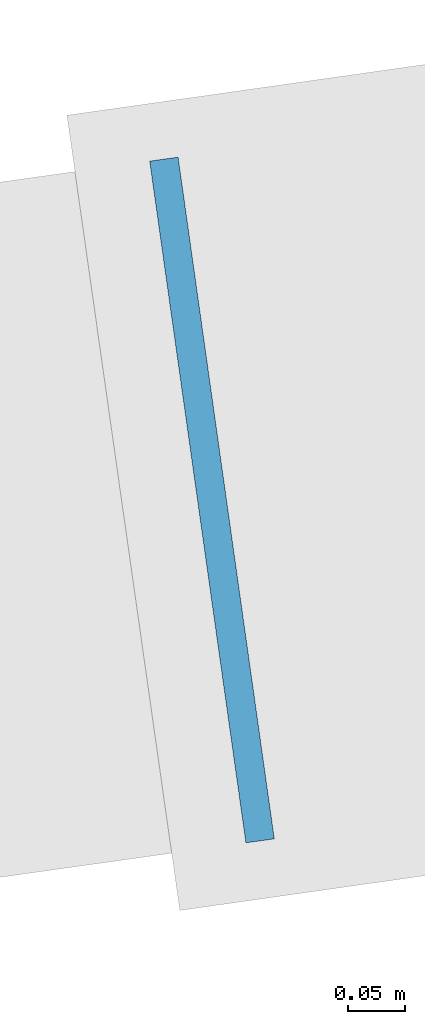
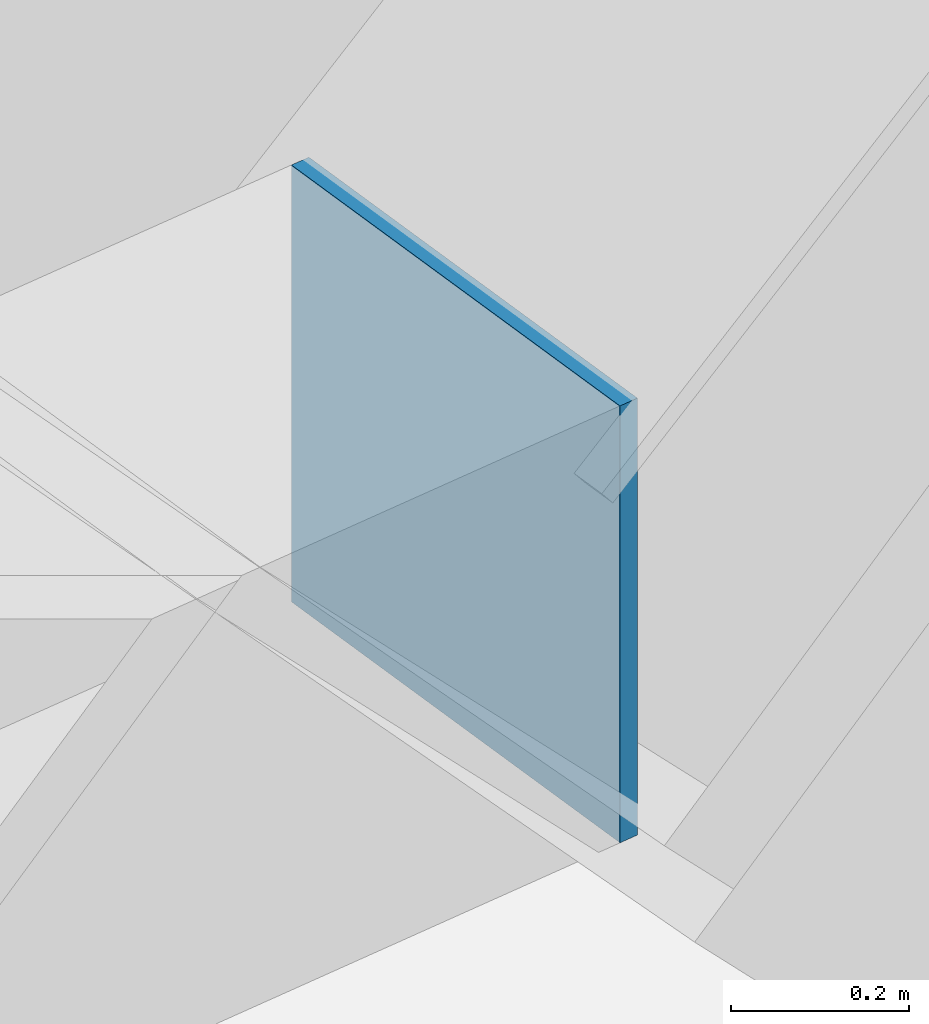
# One storey, part 39 of 41: 1 discrete accessory.
"""IFC4 building model written with IfcOpenShell, lengths in metres."""

from ifc_helpers import new_model, si_unit, direction, frame, origin, origin_2d, place, context, subcontext, project, spatial, rectangle, extrude, material, material_profile, profile_set, type_object, element, save


model = new_model("IFC4")

# Units and contexts
model_context = context("Model", 3, precision=1e-05, world=origin(), true_north=direction((0.0, 1.0)))
body_context = subcontext(model_context, "Body", "Model", "MODEL_VIEW")
ifc_project = project(units=[si_unit("LENGTHUNIT", "METRE"), si_unit("AREAUNIT", "SQUARE_METRE"), si_unit("VOLUMEUNIT", "CUBIC_METRE"), si_unit("PLANEANGLEUNIT", "RADIAN"), si_unit("MASSUNIT", "GRAM", prefix="KILO")], contexts=[model_context])

# Site, building, storey
site_placement = place(None, origin())
site = spatial("IfcSite", under=ifc_project, at=site_placement, CompositionType="ELEMENT")
building_placement = place(site_placement, origin())
building = spatial("IfcBuilding", under=site, at=building_placement, Name="Mirante Cascada Hotel Towers", CompositionType="ELEMENT")
storey_placement = place(building_placement, frame((0.0, 0.0, 151.9)))
storey = spatial("IfcBuildingStorey", under=building, at=storey_placement, Name="L35", CompositionType="ELEMENT", Elevation=151.9)

# Discrete accessory
ifc_material = material(Name="Steel ASTM A572 Gr 50", Category="steel")
ifc_material_profile = material_profile(ifc_material, rectangle(XDim=0.6, YDim=0.6, at=origin_2d()), Name="Connection plate 600x600x25 ASTM A572 Gr 50")
ifc_profile_set = profile_set([ifc_material_profile], Name="Steel ASTM A572 Gr 50")
discrete_accessory_type = type_object("IfcDiscreteAccessoryType", Name="Connection plate 600x600x25 ASTM A572 Gr 50", PredefinedType="BRACKET", material=ifc_profile_set)
discrete_accessory_placement = place(storey_placement, frame((97.6073, -13.7048, 4.35), z_axis=(0.9901876, 0.1397442, 0.0), x_axis=(-0.1397442, 0.9901876, 0.0)))
element("IfcDiscreteAccessory", 1, at=discrete_accessory_placement, inside=storey, type_object=discrete_accessory_type, Name="Connection plate NCH", PredefinedType="BRACKET", context=body_context, shape_type="SweptSolid", body=[
    extrude(rectangle(XDim=0.6, YDim=0.6, at=origin_2d()), origin(), (0.0, 0.0, 1.0), 0.025),
])

save(model, "model.ifc")
